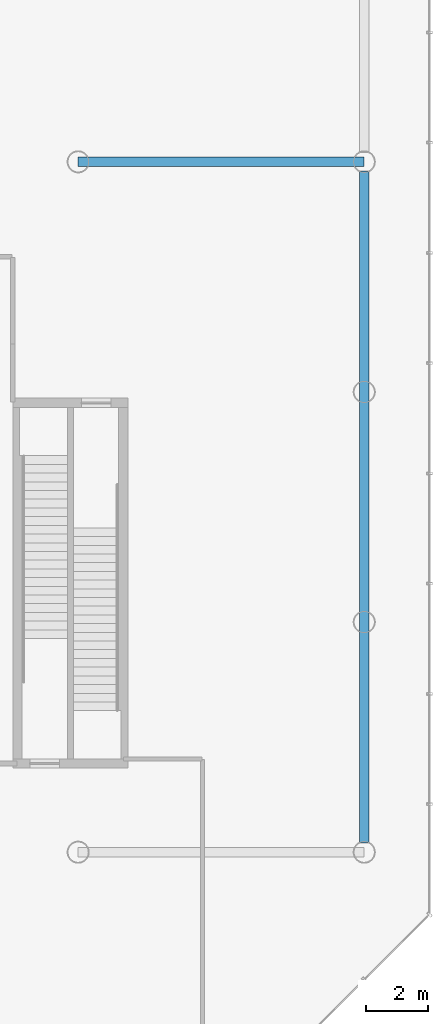
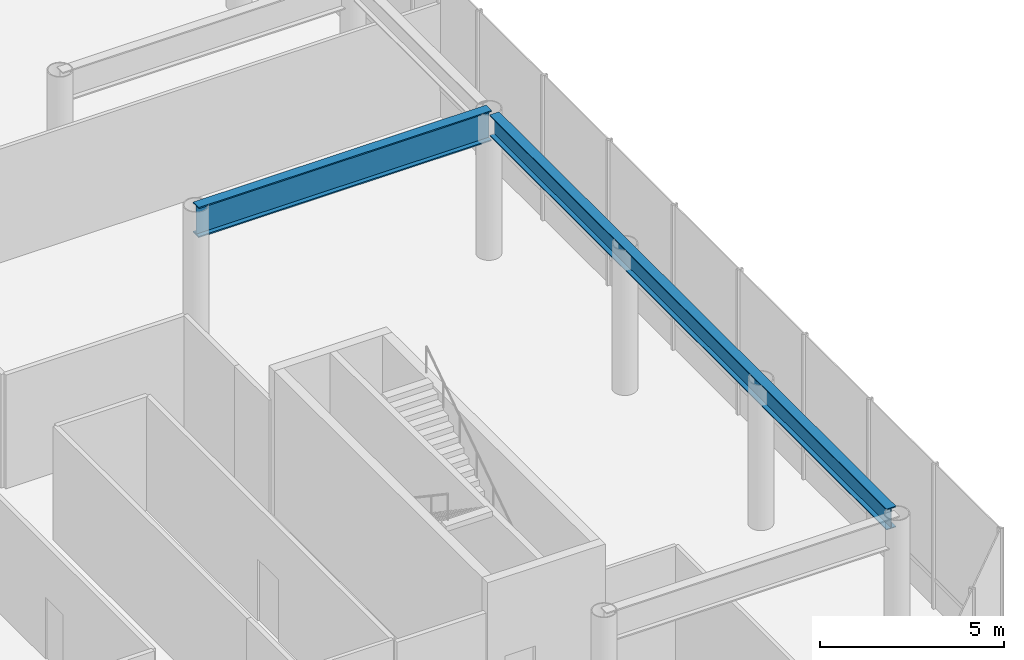
# One storey, part 15 of 31: 2 beams.
"""IFC4 building model written with IfcOpenShell, lengths in metres."""

import ifcopenshell
import ifcopenshell.guid

model = None  # the IFC model being written
_history = None  # IfcOwnerHistory: only IFC2X3 demands one
_inside = {}  # id of a spatial element -> (the spatial element, [elements in it])
_under = {}  # id of a project, library or spatial element -> (it, [spatial elements below it])
_declared = {}  # id of a project -> (the project, [libraries it declares])
_typed = {}  # id of a type object -> (the type object, [elements of that type])
_made_of = {}  # id of a material, layer set ... -> (it, [elements and type objects made of it])


def new_model(schema):
    """Start an empty IFC model of exactly this schema.

    Asked for "IFC4X3", IfcOpenShell would pick the latest addendum, in which some entities
    have other attributes; the version numbers below select the first issue.
    IFC2X3 requires an IfcOwnerHistory on every rooted entity: one is made here for all.
    """
    global model, _history
    if schema == "IFC4X3":
        model = ifcopenshell.file(schema_version=(4, 3, 0, 0))
    else:
        model = ifcopenshell.file(schema=schema)
    _inside.clear()
    _under.clear()
    _declared.clear()
    _typed.clear()
    _made_of.clear()
    _history = None
    if model.schema == "IFC2X3":
        org = make("IfcOrganization", Name="unknown")
        user = make(
            "IfcPersonAndOrganization",
            ThePerson=make("IfcPerson", FamilyName="unknown"),
            TheOrganization=org,
        )
        app = make(
            "IfcApplication",
            ApplicationDeveloper=org,
            Version="unknown",
            ApplicationFullName="unknown",
            ApplicationIdentifier="unknown",
        )
        _history = make(
            "IfcOwnerHistory",
            OwningUser=user,
            OwningApplication=app,
            ChangeAction="ADDED",
            CreationDate=0,
        )
    return model


def make(cls, **values):
    """One entity of the class cls with the attributes given. An attribute that is None is left unset."""
    return model.create_entity(
        cls, **{name: value for name, value in values.items() if value is not None}
    )


def rooted(cls, **values):
    """An entity with a GlobalId (a new one), such as an element, a storey or a relation."""
    return make(cls, GlobalId=ifcopenshell.guid.new(), OwnerHistory=_history, **values)


def si_unit(unit_type, name, prefix=None):
    """IfcSIUnit, for example si_unit("LENGTHUNIT", "METRE", prefix="MILLI")."""
    return make("IfcSIUnit", UnitType=unit_type, Prefix=prefix, Name=name)


def assignment(units):
    """IfcUnitAssignment: the units of a project."""
    return None if units is None else make("IfcUnitAssignment", Units=units)


def point(xyz):
    """IfcCartesianPoint."""
    return None if xyz is None else make("IfcCartesianPoint", Coordinates=xyz)


def direction(xyz):
    """IfcDirection."""
    return None if xyz is None else make("IfcDirection", DirectionRatios=xyz)


def frame(location, z_axis=None, x_axis=None):
    """IfcAxis2Placement3D, a coordinate frame: its origin and axes. An axis left out is left unset."""
    return make(
        "IfcAxis2Placement3D",
        Location=point(location),
        Axis=direction(z_axis),
        RefDirection=direction(x_axis),
    )


def frame_2d(location, x_axis=None):
    """IfcAxis2Placement2D, a coordinate frame in the plane: its origin and x axis."""
    return make(
        "IfcAxis2Placement2D", Location=point(location), RefDirection=direction(x_axis)
    )


def origin():
    """The frame at (0, 0, 0) with its axes left unset."""
    return frame((0.0, 0.0, 0.0))


def origin_2d():
    """The frame at (0, 0) in the plane with its x axis left unset."""
    return frame_2d((0.0, 0.0))


def place(relative_to, where):
    """IfcLocalPlacement: puts the frame where relative to a parent placement (None: the world)."""
    return make(
        "IfcLocalPlacement", PlacementRelTo=relative_to, RelativePlacement=where
    )


def context(
    kind, dimensions, precision=None, world=None, true_north=None, identifier=None
):
    """IfcGeometricRepresentationContext, for example the 3D "Model" context."""
    return make(
        "IfcGeometricRepresentationContext",
        ContextIdentifier=identifier,
        ContextType=kind,
        CoordinateSpaceDimension=dimensions,
        Precision=precision,
        WorldCoordinateSystem=world,
        TrueNorth=true_north,
    )


def subcontext(parent, identifier, kind, view, scale=None):
    """IfcGeometricRepresentationSubContext, for example "Body" below "Model"."""
    return make(
        "IfcGeometricRepresentationSubContext",
        ContextIdentifier=identifier,
        ContextType=kind,
        ParentContext=parent,
        TargetScale=scale,
        TargetView=view,
    )


def project(units=None, contexts=None):
    """IfcProject with its units and contexts."""
    return rooted(
        "IfcProject",
        Name="project",
        RepresentationContexts=contexts,
        UnitsInContext=assignment(units),
    )


def spatial(cls, under=None, at=None, **own):
    """A site, building, storey or space (cls), placed at a placement, below another one or the project."""
    s = rooted(cls, ObjectPlacement=at, **own)
    if under is not None:
        _under.setdefault(under.id(), (under, []))[1].append(s)
    return s


def profile(cls, at=None, kind="AREA", **sizes):
    """A parametric profile (cls). Its sizes go by their IFC names, for example OverallWidth=200.0."""
    return make(cls, ProfileType=kind, Position=at, **sizes)


def i_section(**sizes):
    """IfcIShapeProfileDef."""
    return profile("IfcIShapeProfileDef", **sizes)


def extrude(swept, where, along, depth):
    """IfcExtrudedAreaSolid: the profile swept, set in the frame where, extruded along a direction by depth."""
    return make(
        "IfcExtrudedAreaSolid",
        SweptArea=swept,
        Position=where,
        ExtrudedDirection=direction(along),
        Depth=depth,
    )


def shape(context_of_items, identifier, shape_type, items):
    """IfcShapeRepresentation: the items that make up one representation, for example the "Body"."""
    return make(
        "IfcShapeRepresentation",
        ContextOfItems=context_of_items,
        RepresentationIdentifier=identifier,
        RepresentationType=shape_type,
        Items=items,
    )


def material(Name=None, Category=None):
    """IfcMaterial."""
    return make("IfcMaterial", Name=Name, Category=Category)


def material_profile(
    of_material, cross_section, Name=None, Category=None, Priority=None
):
    """IfcMaterialProfile: a cross section and its material."""
    return make(
        "IfcMaterialProfile",
        Name=Name,
        Material=of_material,
        Profile=cross_section,
        Priority=Priority,
        Category=Category,
    )


def profile_set(profiles, Name=None, composite=None):
    """IfcMaterialProfileSet."""
    return make(
        "IfcMaterialProfileSet",
        Name=Name,
        MaterialProfiles=profiles,
        CompositeProfile=composite,
    )


def made_of(thing, what):
    """Note that an element or type object is made of a material, layer set ...; save() writes the relation."""
    if what is not None:
        _made_of.setdefault(what.id(), (what, []))[1].append(thing)
    return thing


def type_object(cls, material=None, **own):
    """A type object (cls), such as IfcWallType, which elements share."""
    return made_of(rooted(cls, **own), material)


def element(
    cls,
    number,
    at=None,
    inside=None,
    cuts=None,
    type_object=None,
    material=None,
    context=None,
    identifier="Body",
    shape_type=None,
    held_by="IfcProductDefinitionShape",
    body=None,
    shapes=None,
    **own,
):
    """One element of the class cls, such as IfcWall. Its Tag is "e" and its number.

    at: its placement. inside: the storey or other place that contains it. cuts: it is an
    opening in that element (IfcRelVoidsElement). A single representation is given by context,
    identifier, shape_type and body (its items); several are given by shapes. held_by: the class
    of the entity that holds the representations. save() writes the other relations.
    """
    e = rooted(cls, Tag="e%d" % number, ObjectPlacement=at, **own)
    if body is not None:
        shapes = [shape(context, identifier, shape_type, body)]
    if shapes is not None:
        e.Representation = make(held_by, Representations=shapes)
    if inside is not None:
        _inside.setdefault(inside.id(), (inside, []))[1].append(e)
    if cuts is not None:
        rooted(
            "IfcRelVoidsElement", RelatingBuildingElement=cuts, RelatedOpeningElement=e
        )
    if type_object is not None:
        _typed.setdefault(type_object.id(), (type_object, []))[1].append(e)
    return made_of(e, material)


def aggregate(whole, parts):
    """IfcRelAggregates: a whole, such as a stair, and the parts it consists of."""
    return rooted("IfcRelAggregates", RelatingObject=whole, RelatedObjects=parts)


def save(model, path):
    """Write the relations noted so far, then the file.

    IfcRelAggregates (storeys below a building ...), IfcRelContainedInSpatialStructure (elements
    in a storey), IfcRelDefinesByType, IfcRelAssociatesMaterial and IfcRelDeclares: one each for
    every whole, place, type object, material and project.
    """
    for whole, parts in _under.values():
        aggregate(whole, parts)
    for where, things in _inside.values():
        rooted(
            "IfcRelContainedInSpatialStructure",
            RelatedElements=things,
            RelatingStructure=where,
        )
    for kind, things in _typed.values():
        rooted("IfcRelDefinesByType", RelatedObjects=things, RelatingType=kind)
    for what, things in _made_of.values():
        rooted("IfcRelAssociatesMaterial", RelatedObjects=things, RelatingMaterial=what)
    for by, libraries in _declared.values():
        rooted("IfcRelDeclares", RelatingContext=by, RelatedDefinitions=libraries)
    model.write(path)


model = new_model("IFC4")

# Units and contexts
model_context = context("Model", 3, precision=1e-05, world=origin(), true_north=direction((0.0, 1.0)))
body_context = subcontext(model_context, "Body", "Model", "MODEL_VIEW")
ifc_project = project(units=[si_unit("LENGTHUNIT", "METRE"), si_unit("AREAUNIT", "SQUARE_METRE"), si_unit("VOLUMEUNIT", "CUBIC_METRE"), si_unit("PLANEANGLEUNIT", "RADIAN"), si_unit("MASSUNIT", "GRAM", prefix="KILO")], contexts=[model_context])

# Site, building, storey
site_placement = place(None, origin())
site = spatial("IfcSite", under=ifc_project, at=site_placement, CompositionType="ELEMENT")
building_placement = place(site_placement, origin())
building = spatial("IfcBuilding", under=site, at=building_placement, Name="Zarrinselat Tower", CompositionType="ELEMENT")
storey_placement = place(building_placement, origin())
storey = spatial("IfcBuildingStorey", under=building, at=storey_placement, Name="L00", CompositionType="ELEMENT", Elevation=0.0)

# Beams
ifc_material_1 = material(Name="Steel S355J2", Category="steel")
ifc_material_profile_1 = material_profile(ifc_material_1, i_section(OverallWidth=0.300048828125, OverallDepth=0.699951171875, WebThickness=0.01708984375, FlangeThickness=0.031982421875, at=origin_2d()), Name="HEB 700")
ifc_profile_set_1 = profile_set([ifc_material_profile_1], Name="Steel S355J2")
beam_type_1 = type_object("IfcBeamType", Name="BM-HEB700", PredefinedType="SPANDREL", material=ifc_profile_set_1)
beam_1_placement = place(storey_placement, frame((77.199951171875, 11.300048828125, 4.469970703125), z_axis=(0.0, 1.0, 0.0), x_axis=(-1.0, 0.0, 0.0)))
element("IfcBeam", 1, at=beam_1_placement, inside=storey, type_object=beam_type_1, Name="L00 Podium Perimeter Beam E-11", PredefinedType="SPANDREL", context=body_context, shape_type="SweptSolid", body=[
    extrude(i_section(OverallWidth=0.300048828125, OverallDepth=0.699951171875, WebThickness=0.01708984375, FlangeThickness=0.031982421875, at=origin_2d()), origin(), (0.0, 0.0, 1.0), 21.599853515625),
])
ifc_material_2 = material(Name="Steel S460M", Category="steel")
ifc_material_profile_2 = material_profile(ifc_material_2, i_section(OverallWidth=0.302001953125, OverallDepth=1.008056640625, WebThickness=0.02099609375, FlangeThickness=0.0400390625, at=origin_2d()), Name="HEM 1000")
ifc_profile_set_2 = profile_set([ifc_material_profile_2], Name="Steel S460M")
beam_type_2 = type_object("IfcBeamType", Name="BM-PDTR-HEM1000", PredefinedType="BEAM", material=ifc_profile_set_2)
beam_2_placement = place(storey_placement, frame((68.0, 33.199951171875, 4.31591796875), z_axis=(1.0, 0.0, 0.0), x_axis=(0.0, 1.0, 0.0)))
element("IfcBeam", 2, at=beam_2_placement, inside=storey, type_object=beam_type_2, Name="L00 Podium Transfer Girder E-33", PredefinedType="BEAM", context=body_context, shape_type="SweptSolid", body=[
    extrude(i_section(OverallWidth=0.302001953125, OverallDepth=1.008056640625, WebThickness=0.02099609375, FlangeThickness=0.0400390625, at=origin_2d()), origin(), (0.0, 0.0, 1.0), 9.199951171875),
])

save(model, "model.ifc")
